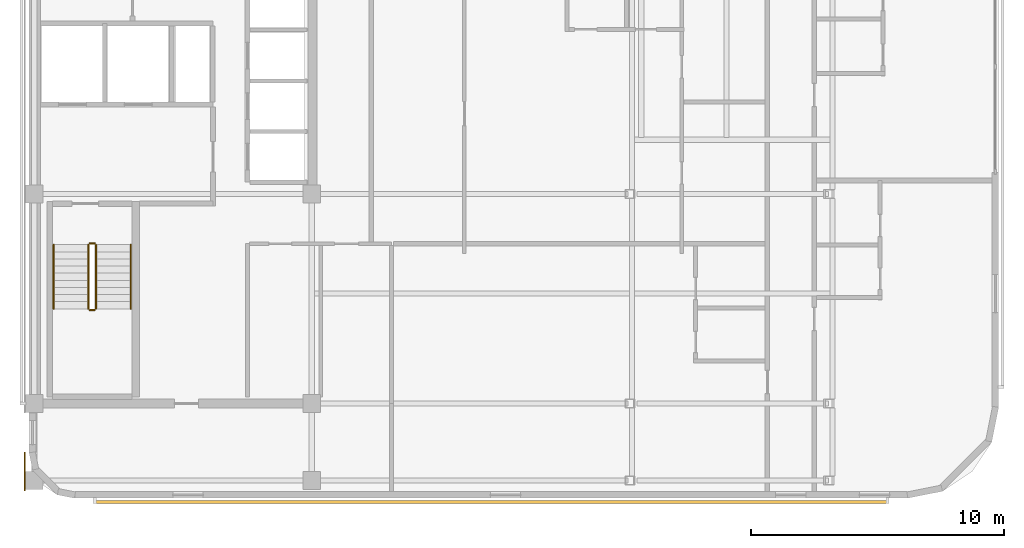
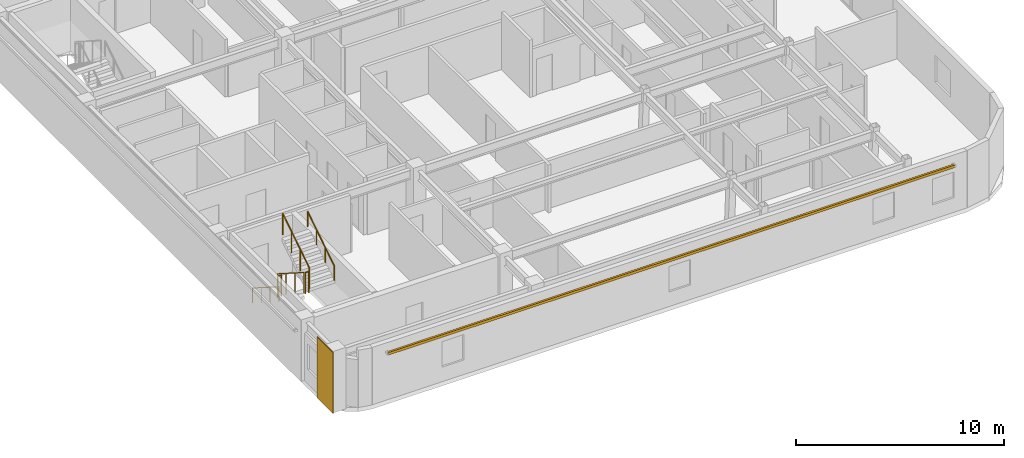
# One storey, part 8 of 10: 6 railings, 1 covering, 1 shading device.
"""IFC4 building model written with IfcOpenShell, lengths in metres."""

from ifc_helpers import new_model, si_unit, direction, frame, origin, origin_2d, place, context, subcontext, project, spatial, rectangle, circle, extrude, material, layer, layer_set, material_profile, profile_set, type_object, element, save


model = new_model("IFC4")

# Units and contexts
model_context = context("Model", 3, precision=1e-05, world=origin(), true_north=direction((0.0, 1.0)))
body_context = subcontext(model_context, "Body", "Model", "MODEL_VIEW")
ifc_project = project(units=[si_unit("LENGTHUNIT", "METRE"), si_unit("AREAUNIT", "SQUARE_METRE"), si_unit("VOLUMEUNIT", "CUBIC_METRE"), si_unit("PLANEANGLEUNIT", "RADIAN"), si_unit("MASSUNIT", "GRAM", prefix="KILO")], contexts=[model_context])

# Site, building, storey
site_placement = place(None, origin())
site = spatial("IfcSite", under=ifc_project, at=site_placement, CompositionType="ELEMENT")
building_placement = place(site_placement, origin())
building = spatial("IfcBuilding", under=site, at=building_placement, Name="Ochreholt Gables", CompositionType="ELEMENT")
storey_placement = place(building_placement, frame((0.0, 0.0, 223.800048828125)))
storey = spatial("IfcBuildingStorey", under=building, at=storey_placement, Name="L58", CompositionType="ELEMENT", Elevation=223.800048828125)

# Covering
ifc_material_1 = material(Name="Glazed Ochre Terracotta Rainscreen Cladding", Category="masonry")
ifc_layer = layer(ifc_material_1, 0.044921875, Name="Glazed Ochre Terracotta Rainscreen Cladding")
ifc_layer_set = layer_set([ifc_layer], Name="Glazed Ochre Terracotta Rainscreen Cladding")
covering_type = type_object("IfcCoveringType", Name="COV-CLAD-TC", PredefinedType="CLADDING", material=ifc_layer_set)
covering_placement = place(storey_placement, frame((23.827880859375, 6.56005859375, 0.010009765625), z_axis=(0.0, 0.0, 1.0), x_axis=(0.0, 1.0, 0.0)))
element("IfcCovering", 1, at=covering_placement, inside=storey, type_object=covering_type, Name="L58 South-West Pier Terracotta Cladding", PredefinedType="CLADDING", context=body_context, shape_type="SweptSolid", body=[
    extrude(rectangle(XDim=1.52001953125, YDim=0.044921875, at=origin_2d()), origin(), (0.0, 0.0, 1.0), 3.580078125),
])

# Railings
ifc_material_2 = material(Name="Painted Steel Stair Guardrail", Category="steel")
railing_type_1 = type_object("IfcRailingType", Name="RL-ST-GUARD", PredefinedType="GUARDRAIL", material=ifc_material_2)
railing_1_placement = place(storey_placement, frame((26.35009765625, 15.5400390625, 0.179931640625)))
element("IfcRailing", 2, at=railing_1_placement, inside=storey, type_object=railing_type_1, Name="L58 ST-1 stair guard 1", PredefinedType="GUARDRAIL", context=body_context, shape_type="SweptSolid", body=[
    extrude(circle(Radius=0.02392578125, at=origin_2d()), frame((0.0, 0.0, 1.22607421875), z_axis=(0.0, -0.842912820907, 0.538050161556), x_axis=(1.0, 0.0, 0.0)), (0.0, 0.0, 1.0), 3.010986328125),
    extrude(circle(Radius=0.02099609375, at=origin_2d()), origin(), (0.0, 0.0, 1.0), 1.201904296875),
    extrude(circle(Radius=0.02099609375, at=origin_2d()), frame((0.0, -0.845947265625, 0.5400390625)), (0.0, 0.0, 1.0), 1.201904296875),
    extrude(circle(Radius=0.02099609375, at=origin_2d()), frame((0.0, -1.692138671875, 1.080078125)), (0.0, 0.0, 1.0), 1.201904296875),
    extrude(circle(Radius=0.02099609375, at=origin_2d()), frame((0.0, -2.5380859375, 1.6201171875)), (0.0, 0.0, 1.0), 1.201904296875),
])
railing_2_placement = place(storey_placement, frame((26.39990234375, 12.951904296875, 1.800048828125)))
element("IfcRailing", 3, at=railing_2_placement, inside=storey, type_object=railing_type_1, Name="L58 ST-1 stair guard 2", PredefinedType="GUARDRAIL", context=body_context, shape_type="SweptSolid", body=[
    extrude(circle(Radius=0.02392578125, at=origin_2d()), frame((0.0, 0.0, 1.22607421875), z_axis=(1.0, 0.0, 0.0), x_axis=(0.0, 1.0, 0.0)), (0.0, 0.0, 1.0), 0.2001953125),
    extrude(circle(Radius=0.02099609375, at=origin_2d()), origin(), (0.0, 0.0, 1.0), 1.201904296875),
    extrude(circle(Radius=0.02099609375, at=origin_2d()), frame((0.2001953125, 0.0, 0.0)), (0.0, 0.0, 1.0), 1.201904296875),
])
railing_3_placement = place(storey_placement, frame((26.64990234375, 13.001953125, 1.97998046875)))
element("IfcRailing", 4, at=railing_3_placement, inside=storey, type_object=railing_type_1, Name="L58 ST-1 stair guard 3", PredefinedType="GUARDRAIL", context=body_context, shape_type="SweptSolid", body=[
    extrude(circle(Radius=0.02392578125, at=origin_2d()), frame((0.0, 0.0, 1.22607421875), z_axis=(0.0, 0.842949592929, 0.537992549931), x_axis=(-1.0, 0.0, 0.0)), (0.0, 0.0, 1.0), 3.010986328125),
    extrude(circle(Radius=0.02099609375, at=origin_2d()), origin(), (0.0, 0.0, 1.0), 1.201904296875),
    extrude(circle(Radius=0.02099609375, at=origin_2d()), frame((0.0, 0.845947265625, 0.5400390625)), (0.0, 0.0, 1.0), 1.201904296875),
    extrude(circle(Radius=0.02099609375, at=origin_2d()), frame((0.0, 1.692138671875, 1.079833984375)), (0.0, 0.0, 1.0), 1.201904296875),
    extrude(circle(Radius=0.02099609375, at=origin_2d()), frame((0.0, 2.5380859375, 1.619873046875)), (0.0, 0.0, 1.0), 1.201904296875),
])
railing_4_placement = place(storey_placement, frame((26.39990234375, 15.590087890625, 0.0)))
element("IfcRailing", 5, at=railing_4_placement, inside=storey, type_object=railing_type_1, Name="L58 ST-1 stair guard 4", PredefinedType="GUARDRAIL", context=body_context, shape_type="SweptSolid", body=[
    extrude(circle(Radius=0.02392578125, at=origin_2d()), frame((0.0, 0.0, 1.22607421875), z_axis=(1.0, 0.0, 0.0), x_axis=(0.0, 1.0, 0.0)), (0.0, 0.0, 1.0), 0.2001953125),
    extrude(circle(Radius=0.02099609375, at=origin_2d()), origin(), (0.0, 0.0, 1.0), 1.201904296875),
    extrude(circle(Radius=0.02099609375, at=origin_2d()), frame((0.2001953125, 0.0, 0.0)), (0.0, 0.0, 1.0), 1.201904296875),
])
ifc_material_3 = material(Name="Brushed Stainless Steel Wall Handrail", Category="steel")
railing_type_2 = type_object("IfcRailingType", Name="RL-ST-HAND", PredefinedType="HANDRAIL", material=ifc_material_3)
railing_5_placement = place(storey_placement, frame((24.969970703125, 15.5400390625, 0.179931640625)))
element("IfcRailing", 6, at=railing_5_placement, inside=storey, type_object=railing_type_2, Name="L58 ST-1 stair handrail 1", PredefinedType="HANDRAIL", context=body_context, shape_type="SweptSolid", body=[
    extrude(circle(Radius=0.02392578125, at=origin_2d()), frame((0.0, 0.0, 0.8759765625), z_axis=(0.0, -0.842912820907, 0.538050161556), x_axis=(1.0, 0.0, 0.0)), (0.0, 0.0, 1.0), 3.010986328125),
    extrude(circle(Radius=0.02099609375, at=origin_2d()), origin(), (0.0, 0.0, 1.0), 0.851806640625),
    extrude(circle(Radius=0.02099609375, at=origin_2d()), frame((0.0, -0.845947265625, 0.5400390625)), (0.0, 0.0, 1.0), 0.851806640625),
    extrude(circle(Radius=0.02099609375, at=origin_2d()), frame((0.0, -1.692138671875, 1.080078125)), (0.0, 0.0, 1.0), 0.851806640625),
    extrude(circle(Radius=0.02099609375, at=origin_2d()), frame((0.0, -2.5380859375, 1.6201171875)), (0.0, 0.0, 1.0), 0.851806640625),
])
railing_6_placement = place(storey_placement, frame((28.030029296875, 13.001953125, 1.97998046875)))
element("IfcRailing", 7, at=railing_6_placement, inside=storey, type_object=railing_type_2, Name="L58 ST-1 stair handrail 2", PredefinedType="HANDRAIL", context=body_context, shape_type="SweptSolid", body=[
    extrude(circle(Radius=0.02392578125, at=origin_2d()), frame((0.0, 0.0, 0.8759765625), z_axis=(0.0, 0.842949592929, 0.537992549931), x_axis=(-1.0, 0.0, 0.0)), (0.0, 0.0, 1.0), 3.010986328125),
    extrude(circle(Radius=0.02099609375, at=origin_2d()), origin(), (0.0, 0.0, 1.0), 0.851806640625),
    extrude(circle(Radius=0.02099609375, at=origin_2d()), frame((0.0, 0.845947265625, 0.5400390625)), (0.0, 0.0, 1.0), 0.851806640625),
    extrude(circle(Radius=0.02099609375, at=origin_2d()), frame((0.0, 1.692138671875, 1.079833984375)), (0.0, 0.0, 1.0), 0.851806640625),
    extrude(circle(Radius=0.02099609375, at=origin_2d()), frame((0.0, 2.5380859375, 1.619873046875)), (0.0, 0.0, 1.0), 0.851806640625),
])

# Shading device
ifc_material_4 = material(Name="Warm Ochre Glazed Terracotta Baguette", Category="masonry")
ifc_material_profile = material_profile(ifc_material_4, rectangle(XDim=0.110107421875, YDim=0.14990234375, at=origin_2d()), Name="TCBAG110X150")
ifc_profile_set = profile_set([ifc_material_profile], Name="Warm Ochre Glazed Terracotta Baguette")
shading_device_type = type_object("IfcShadingDeviceType", Name="SHD-BAGUETTE", PredefinedType="USERDEFINED", material=ifc_profile_set)
shading_device_placement = place(storey_placement, frame((26.60009765625, 5.35009765625, 2.83984375), z_axis=(1.0, 0.0, 0.0), x_axis=(0.0, 1.0, 0.0)))
element("IfcShadingDevice", 8, at=shading_device_placement, inside=storey, type_object=shading_device_type, Name="L58 Terracotta Baguette Screen S-1", ObjectType="BAGUETTE", PredefinedType="USERDEFINED", context=body_context, shape_type="SweptSolid", body=[
    extrude(rectangle(XDim=0.110107421875, YDim=0.14990234375, at=origin_2d()), origin(), (0.0, 0.0, 1.0), 31.39990234375),
])

save(model, "model.ifc")
